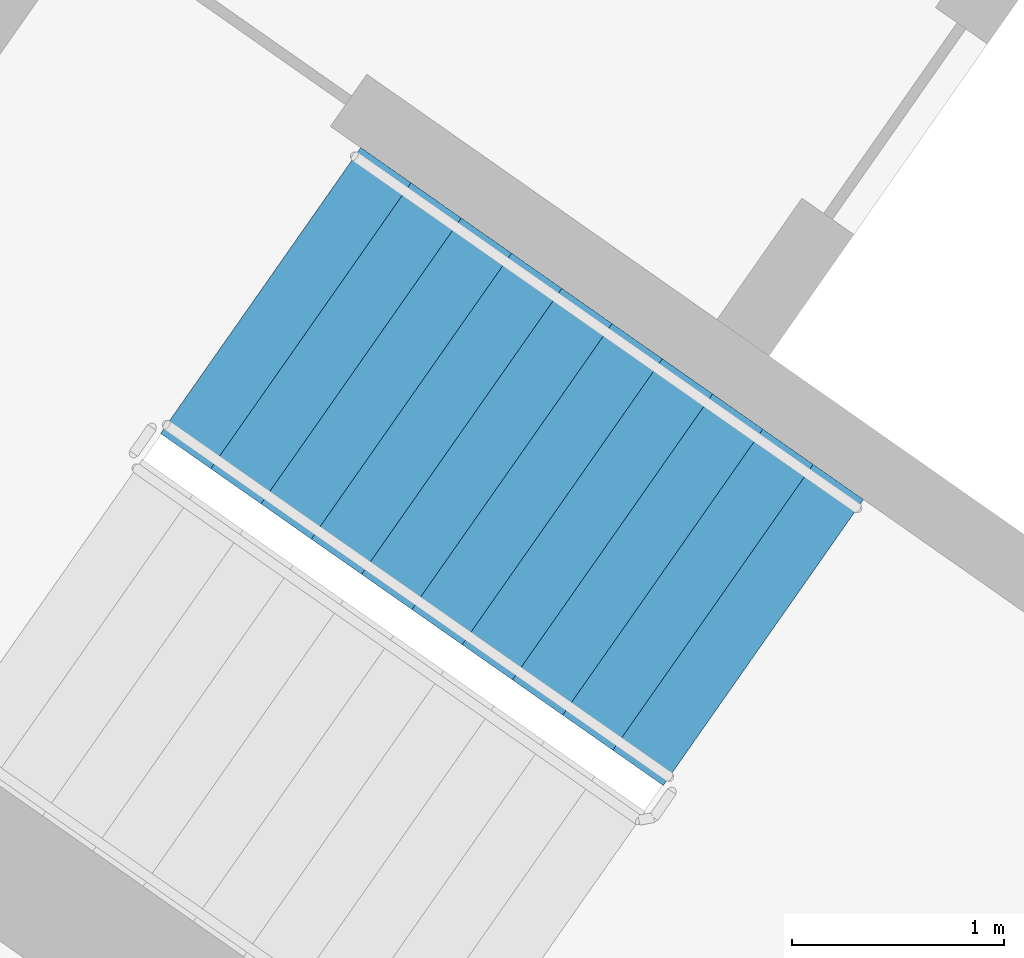
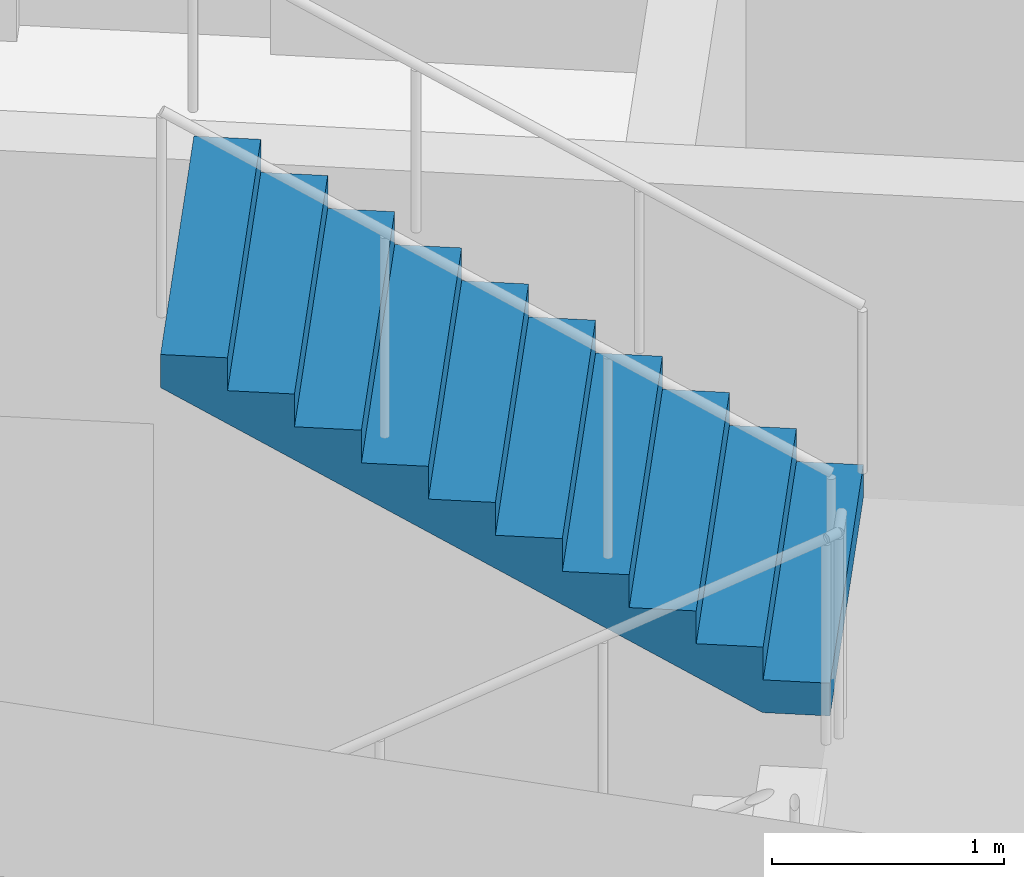
# One storey, part 10 of 26: 1 stair flight, 1 element without a shape of its own.
"""IFC4 building model written with IfcOpenShell, lengths in metres."""

from ifc_helpers import new_model, si_unit, direction, frame, origin, place, context, subcontext, project, spatial, faceted_brep, material, type_object, element, aggregate, save


model = new_model("IFC4")

# Units and contexts
model_context = context("Model", 3, precision=1e-05, world=origin(), true_north=direction((0.0, 1.0)))
body_context = subcontext(model_context, "Body", "Model", "MODEL_VIEW")
ifc_project = project(units=[si_unit("LENGTHUNIT", "METRE"), si_unit("AREAUNIT", "SQUARE_METRE"), si_unit("VOLUMEUNIT", "CUBIC_METRE"), si_unit("PLANEANGLEUNIT", "RADIAN"), si_unit("MASSUNIT", "GRAM", prefix="KILO")], contexts=[model_context])

# Site, building, storey
site_placement = place(None, origin())
site = spatial("IfcSite", under=ifc_project, at=site_placement, CompositionType="ELEMENT")
building_placement = place(site_placement, origin())
building = spatial("IfcBuilding", under=site, at=building_placement, Name="Qamariyya Broadcast Tower", CompositionType="ELEMENT")
storey_placement = place(building_placement, frame((0.0, 0.0, 168.300048828125)))
storey = spatial("IfcBuildingStorey", under=building, at=storey_placement, Name="L39", CompositionType="ELEMENT", Elevation=168.300048828125)

# Stair, stair flight
ifc_material = material(Name="Concrete C50/60", Category="concrete")
stair_type = type_object("IfcStairType", Name="Exit stair 22 risers of 173 mm", PredefinedType="HALF_TURN_STAIR", material=ifc_material)
stair_placement = place(storey_placement, origin())
stair = element("IfcStair", 1, at=stair_placement, inside=storey, type_object=stair_type, Name="L39 Stair W1", PredefinedType="HALF_TURN_STAIR")
stair_flight_type = type_object("IfcStairFlightType", Name="Exit stair flight 11 risers of 173 mm", PredefinedType="STRAIGHT", material=ifc_material)
stair_flight_placement = place(storey_placement, frame((-43.660888671875, -57.17138671875, 1.89990234375), z_axis=(0.0, 0.0, 1.0), x_axis=(-0.819152044289, 0.573576436351, 0.0)))
stair_flight = element("IfcStairFlight", 2, at=stair_flight_placement, type_object=stair_flight_type, Name="ST-W1 flight 2", NumberOfRisers=11, NumberOfTreads=10, PredefinedType="STRAIGHT", RiserHeight=0.172727273, TreadLength=0.29, context=body_context, shape_type="Brep", body=[
    faceted_brep([(0.0, 0.824951171875, 0.0), (0.0, 0.824951171875, 0.172607421875), (0.2900390625, 0.824951171875, 0.172607421875), (0.2900390625, 0.824951171875, 0.345458984375), (0.580078125, 0.824951171875, 0.345458984375), (0.580078125, 0.824951171875, 0.51806640625), (0.8701171875, 0.824951171875, 0.51806640625), (0.8701171875, 0.824951171875, 0.69091796875), (1.159912109375, 0.824951171875, 0.69091796875), (1.159912109375, 0.824951171875, 0.863525390625), (1.449951171875, 0.824951171875, 0.863525390625), (1.449951171875, 0.824951171875, 1.036376953125), (1.739990234375, 0.824951171875, 1.036376953125), (1.739990234375, 0.824951171875, 1.208984375), (2.030029296875, 0.824951171875, 1.208984375), (2.030029296875, 0.824951171875, 1.3818359375), (2.320068359375, 0.824951171875, 1.3818359375), (2.320068359375, 0.824951171875, 1.554443359375), (2.610107421875, 0.824951171875, 1.554443359375), (2.610107421875, 0.824951171875, 1.727294921875), (2.89990234375, 0.824951171875, 1.727294921875), (2.89990234375, 0.824951171875, 1.552734375), (0.29296875, 0.824951171875, 0.0), (0.29296875, -0.824951171875, 0.0), (2.89990234375, -0.824951171875, 1.552734375), (2.89990234375, -0.824951171875, 1.727294921875), (2.610107421875, -0.824951171875, 1.727294921875), (2.610107421875, -0.824951171875, 1.554443359375), (2.320068359375, -0.824951171875, 1.554443359375), (2.320068359375, -0.824951171875, 1.3818359375), (2.030029296875, -0.824951171875, 1.3818359375), (2.030029296875, -0.824951171875, 1.208984375), (1.739990234375, -0.824951171875, 1.208984375), (1.739990234375, -0.824951171875, 1.036376953125), (1.449951171875, -0.824951171875, 1.036376953125), (1.449951171875, -0.824951171875, 0.863525390625), (1.159912109375, -0.824951171875, 0.863525390625), (1.159912109375, -0.824951171875, 0.69091796875), (0.8701171875, -0.824951171875, 0.69091796875), (0.8701171875, -0.824951171875, 0.51806640625), (0.580078125, -0.824951171875, 0.51806640625), (0.580078125, -0.824951171875, 0.345458984375), (0.2900390625, -0.824951171875, 0.345458984375), (0.2900390625, -0.824951171875, 0.172607421875), (0.0, -0.824951171875, 0.172607421875), (0.0, -0.824951171875, 0.0), (0.0, 0.10009765625, 0.0), (0.0, 0.086669921875, 0.0), (0.0, 0.0732421875, 0.0), (0.0, 0.06005859375, 0.0), (0.0, 0.046630859375, 0.0), (0.0, 0.033447265625, 0.0), (0.0, 0.02001953125, 0.0), (0.0, 0.006591796875, 0.0), (0.0, -0.006591796875, 0.0), (0.0, -0.02001953125, 0.0), (0.0, -0.033447265625, 0.0), (0.0, -0.046630859375, 0.0), (0.0, -0.06005859375, 0.0), (0.0, -0.0732421875, 0.0), (0.0, -0.086669921875, 0.0), (0.0, -0.10009765625, 0.0), (0.0, -0.10009765625, 0.172607421875), (0.0, -0.086669921875, 0.172607421875), (0.0, -0.0732421875, 0.172607421875), (0.0, -0.06005859375, 0.172607421875), (0.0, -0.046630859375, 0.172607421875), (0.0, -0.033447265625, 0.172607421875), (0.0, -0.02001953125, 0.172607421875), (0.0, -0.006591796875, 0.172607421875), (0.0, 0.006591796875, 0.172607421875), (0.0, 0.02001953125, 0.172607421875), (0.0, 0.033447265625, 0.172607421875), (0.0, 0.046630859375, 0.172607421875), (0.0, 0.06005859375, 0.172607421875), (0.0, 0.0732421875, 0.172607421875), (0.0, 0.086669921875, 0.172607421875), (0.0, 0.10009765625, 0.172607421875), (0.2900390625, -0.10009765625, 0.172607421875), (0.2900390625, -0.086669921875, 0.172607421875), (0.2900390625, -0.0732421875, 0.172607421875), (0.2900390625, -0.06005859375, 0.172607421875), (0.2900390625, -0.046630859375, 0.172607421875), (0.2900390625, -0.033447265625, 0.172607421875), (0.2900390625, -0.02001953125, 0.172607421875), (0.2900390625, -0.006591796875, 0.172607421875), (0.2900390625, 0.006591796875, 0.172607421875), (0.2900390625, 0.02001953125, 0.172607421875), (0.2900390625, 0.033447265625, 0.172607421875), (0.2900390625, 0.046630859375, 0.172607421875), (0.2900390625, 0.06005859375, 0.172607421875), (0.2900390625, 0.0732421875, 0.172607421875), (0.2900390625, 0.086669921875, 0.172607421875), (0.2900390625, 0.10009765625, 0.172607421875), (0.2900390625, -0.10009765625, 0.345458984375), (0.2900390625, -0.086669921875, 0.345458984375), (0.2900390625, -0.0732421875, 0.345458984375), (0.2900390625, -0.06005859375, 0.345458984375), (0.2900390625, -0.046630859375, 0.345458984375), (0.2900390625, -0.033447265625, 0.345458984375), (0.2900390625, -0.02001953125, 0.345458984375), (0.2900390625, -0.006591796875, 0.345458984375), (0.2900390625, 0.006591796875, 0.345458984375), (0.2900390625, 0.02001953125, 0.345458984375), (0.2900390625, 0.033447265625, 0.345458984375), (0.2900390625, 0.046630859375, 0.345458984375), (0.2900390625, 0.06005859375, 0.345458984375), (0.2900390625, 0.0732421875, 0.345458984375), (0.2900390625, 0.086669921875, 0.345458984375), (0.2900390625, 0.10009765625, 0.345458984375), (0.580078125, -0.10009765625, 0.345458984375), (0.580078125, -0.086669921875, 0.345458984375), (0.580078125, -0.0732421875, 0.345458984375), (0.580078125, -0.06005859375, 0.345458984375), (0.580078125, -0.046630859375, 0.345458984375), (0.580078125, -0.033447265625, 0.345458984375), (0.580078125, -0.02001953125, 0.345458984375), (0.580078125, -0.006591796875, 0.345458984375), (0.580078125, 0.006591796875, 0.345458984375), (0.580078125, 0.02001953125, 0.345458984375), (0.580078125, 0.033447265625, 0.345458984375), (0.580078125, 0.046630859375, 0.345458984375), (0.580078125, 0.06005859375, 0.345458984375), (0.580078125, 0.0732421875, 0.345458984375), (0.580078125, 0.086669921875, 0.345458984375), (0.580078125, 0.10009765625, 0.345458984375), (0.580078125, -0.10009765625, 0.51806640625), (0.580078125, -0.086669921875, 0.51806640625), (0.580078125, -0.0732421875, 0.51806640625), (0.580078125, -0.06005859375, 0.51806640625), (0.580078125, -0.046630859375, 0.51806640625), (0.580078125, -0.033447265625, 0.51806640625), (0.580078125, -0.02001953125, 0.51806640625), (0.580078125, -0.006591796875, 0.51806640625), (0.580078125, 0.006591796875, 0.51806640625), (0.580078125, 0.02001953125, 0.51806640625), (0.580078125, 0.033447265625, 0.51806640625), (0.580078125, 0.046630859375, 0.51806640625), (0.580078125, 0.06005859375, 0.51806640625), (0.580078125, 0.0732421875, 0.51806640625), (0.580078125, 0.086669921875, 0.51806640625), (0.580078125, 0.10009765625, 0.51806640625), (0.8701171875, -0.10009765625, 0.51806640625), (0.8701171875, -0.086669921875, 0.51806640625), (0.8701171875, -0.0732421875, 0.51806640625), (0.8701171875, -0.06005859375, 0.51806640625), (0.8701171875, -0.046630859375, 0.51806640625), (0.8701171875, -0.033447265625, 0.51806640625), (0.8701171875, -0.02001953125, 0.51806640625), (0.8701171875, -0.006591796875, 0.51806640625), (0.8701171875, 0.006591796875, 0.51806640625), (0.8701171875, 0.02001953125, 0.51806640625), (0.8701171875, 0.033447265625, 0.51806640625), (0.8701171875, 0.046630859375, 0.51806640625), (0.8701171875, 0.06005859375, 0.51806640625), (0.8701171875, 0.0732421875, 0.51806640625), (0.8701171875, 0.086669921875, 0.51806640625), (0.8701171875, 0.10009765625, 0.51806640625), (0.8701171875, -0.10009765625, 0.69091796875), (0.8701171875, -0.086669921875, 0.69091796875), (0.8701171875, -0.0732421875, 0.69091796875), (0.8701171875, -0.06005859375, 0.69091796875), (0.8701171875, -0.046630859375, 0.69091796875), (0.8701171875, -0.033447265625, 0.69091796875), (0.8701171875, -0.02001953125, 0.69091796875), (0.8701171875, -0.006591796875, 0.69091796875), (0.8701171875, 0.006591796875, 0.69091796875), (0.8701171875, 0.02001953125, 0.69091796875), (0.8701171875, 0.033447265625, 0.69091796875), (0.8701171875, 0.046630859375, 0.69091796875), (0.8701171875, 0.06005859375, 0.69091796875), (0.8701171875, 0.0732421875, 0.69091796875), (0.8701171875, 0.086669921875, 0.69091796875), (0.8701171875, 0.10009765625, 0.69091796875), (1.159912109375, -0.10009765625, 0.69091796875), (1.159912109375, -0.086669921875, 0.69091796875), (1.159912109375, -0.0732421875, 0.69091796875), (1.159912109375, -0.06005859375, 0.69091796875), (1.159912109375, -0.046630859375, 0.69091796875), (1.159912109375, -0.033447265625, 0.69091796875), (1.159912109375, -0.02001953125, 0.69091796875), (1.159912109375, -0.006591796875, 0.69091796875), (1.159912109375, 0.006591796875, 0.69091796875), (1.159912109375, 0.02001953125, 0.69091796875), (1.159912109375, 0.033447265625, 0.69091796875), (1.159912109375, 0.046630859375, 0.69091796875), (1.159912109375, 0.06005859375, 0.69091796875), (1.159912109375, 0.0732421875, 0.69091796875), (1.159912109375, 0.086669921875, 0.69091796875), (1.159912109375, 0.10009765625, 0.69091796875), (1.159912109375, -0.10009765625, 0.863525390625), (1.159912109375, -0.086669921875, 0.863525390625), (1.159912109375, -0.0732421875, 0.863525390625), (1.159912109375, -0.06005859375, 0.863525390625), (1.159912109375, -0.046630859375, 0.863525390625), (1.159912109375, -0.033447265625, 0.863525390625), (1.159912109375, -0.02001953125, 0.863525390625), (1.159912109375, -0.006591796875, 0.863525390625), (1.159912109375, 0.006591796875, 0.863525390625), (1.159912109375, 0.02001953125, 0.863525390625), (1.159912109375, 0.033447265625, 0.863525390625), (1.159912109375, 0.046630859375, 0.863525390625), (1.159912109375, 0.06005859375, 0.863525390625), (1.159912109375, 0.0732421875, 0.863525390625), (1.159912109375, 0.086669921875, 0.863525390625), (1.159912109375, 0.10009765625, 0.863525390625), (1.449951171875, -0.10009765625, 0.863525390625), (1.449951171875, -0.086669921875, 0.863525390625), (1.449951171875, -0.0732421875, 0.863525390625), (1.449951171875, -0.06005859375, 0.863525390625), (1.449951171875, -0.046630859375, 0.863525390625), (1.449951171875, -0.033447265625, 0.863525390625), (1.449951171875, -0.02001953125, 0.863525390625), (1.449951171875, -0.006591796875, 0.863525390625), (1.449951171875, 0.006591796875, 0.863525390625), (1.449951171875, 0.02001953125, 0.863525390625), (1.449951171875, 0.033447265625, 0.863525390625), (1.449951171875, 0.046630859375, 0.863525390625), (1.449951171875, 0.06005859375, 0.863525390625), (1.449951171875, 0.0732421875, 0.863525390625), (1.449951171875, 0.086669921875, 0.863525390625), (1.449951171875, 0.10009765625, 0.863525390625), (1.449951171875, -0.10009765625, 1.036376953125), (1.449951171875, -0.086669921875, 1.036376953125), (1.449951171875, -0.0732421875, 1.036376953125), (1.449951171875, -0.06005859375, 1.036376953125), (1.449951171875, -0.046630859375, 1.036376953125), (1.449951171875, -0.033447265625, 1.036376953125), (1.449951171875, -0.02001953125, 1.036376953125), (1.449951171875, -0.006591796875, 1.036376953125), (1.449951171875, 0.006591796875, 1.036376953125), (1.449951171875, 0.02001953125, 1.036376953125), (1.449951171875, 0.033447265625, 1.036376953125), (1.449951171875, 0.046630859375, 1.036376953125), (1.449951171875, 0.06005859375, 1.036376953125), (1.449951171875, 0.0732421875, 1.036376953125), (1.449951171875, 0.086669921875, 1.036376953125), (1.449951171875, 0.10009765625, 1.036376953125), (1.739990234375, -0.10009765625, 1.036376953125), (1.739990234375, -0.086669921875, 1.036376953125), (1.739990234375, -0.0732421875, 1.036376953125), (1.739990234375, -0.06005859375, 1.036376953125), (1.739990234375, -0.046630859375, 1.036376953125), (1.739990234375, -0.033447265625, 1.036376953125), (1.739990234375, -0.02001953125, 1.036376953125), (1.739990234375, -0.006591796875, 1.036376953125), (1.739990234375, 0.006591796875, 1.036376953125), (1.739990234375, 0.02001953125, 1.036376953125), (1.739990234375, 0.033447265625, 1.036376953125), (1.739990234375, 0.046630859375, 1.036376953125), (1.739990234375, 0.06005859375, 1.036376953125), (1.739990234375, 0.0732421875, 1.036376953125), (1.739990234375, 0.086669921875, 1.036376953125), (1.739990234375, 0.10009765625, 1.036376953125), (1.739990234375, -0.10009765625, 1.208984375), (1.739990234375, -0.086669921875, 1.208984375), (1.739990234375, -0.0732421875, 1.208984375), (1.739990234375, -0.06005859375, 1.208984375), (1.739990234375, -0.046630859375, 1.208984375), (1.739990234375, -0.033447265625, 1.208984375), (1.739990234375, -0.02001953125, 1.208984375), (1.739990234375, -0.006591796875, 1.208984375), (1.739990234375, 0.006591796875, 1.208984375), (1.739990234375, 0.02001953125, 1.208984375), (1.739990234375, 0.033447265625, 1.208984375), (1.739990234375, 0.046630859375, 1.208984375), (1.739990234375, 0.06005859375, 1.208984375), (1.739990234375, 0.0732421875, 1.208984375), (1.739990234375, 0.086669921875, 1.208984375), (1.739990234375, 0.10009765625, 1.208984375), (2.030029296875, -0.10009765625, 1.208984375), (2.030029296875, -0.086669921875, 1.208984375), (2.030029296875, -0.0732421875, 1.208984375), (2.030029296875, -0.06005859375, 1.208984375), (2.030029296875, -0.046630859375, 1.208984375), (2.030029296875, -0.033447265625, 1.208984375), (2.030029296875, -0.02001953125, 1.208984375), (2.030029296875, -0.006591796875, 1.208984375), (2.030029296875, 0.006591796875, 1.208984375), (2.030029296875, 0.02001953125, 1.208984375), (2.030029296875, 0.033447265625, 1.208984375), (2.030029296875, 0.046630859375, 1.208984375), (2.030029296875, 0.06005859375, 1.208984375), (2.030029296875, 0.0732421875, 1.208984375), (2.030029296875, 0.086669921875, 1.208984375), (2.030029296875, 0.10009765625, 1.208984375), (2.030029296875, -0.10009765625, 1.3818359375), (2.030029296875, -0.086669921875, 1.3818359375), (2.030029296875, -0.0732421875, 1.3818359375), (2.030029296875, -0.06005859375, 1.3818359375), (2.030029296875, -0.046630859375, 1.3818359375), (2.030029296875, -0.033447265625, 1.3818359375), (2.030029296875, -0.02001953125, 1.3818359375), (2.030029296875, -0.006591796875, 1.3818359375), (2.030029296875, 0.006591796875, 1.3818359375), (2.030029296875, 0.02001953125, 1.3818359375), (2.030029296875, 0.033447265625, 1.3818359375), (2.030029296875, 0.046630859375, 1.3818359375), (2.030029296875, 0.06005859375, 1.3818359375), (2.030029296875, 0.0732421875, 1.3818359375), (2.030029296875, 0.086669921875, 1.3818359375), (2.030029296875, 0.10009765625, 1.3818359375), (2.320068359375, -0.10009765625, 1.3818359375), (2.320068359375, -0.086669921875, 1.3818359375), (2.320068359375, -0.0732421875, 1.3818359375), (2.320068359375, -0.06005859375, 1.3818359375), (2.320068359375, -0.046630859375, 1.3818359375), (2.320068359375, -0.033447265625, 1.3818359375), (2.320068359375, -0.02001953125, 1.3818359375), (2.320068359375, -0.006591796875, 1.3818359375), (2.320068359375, 0.006591796875, 1.3818359375), (2.320068359375, 0.02001953125, 1.3818359375), (2.320068359375, 0.033447265625, 1.3818359375), (2.320068359375, 0.046630859375, 1.3818359375), (2.320068359375, 0.06005859375, 1.3818359375), (2.320068359375, 0.0732421875, 1.3818359375), (2.320068359375, 0.086669921875, 1.3818359375), (2.320068359375, 0.10009765625, 1.3818359375), (2.320068359375, -0.10009765625, 1.554443359375), (2.320068359375, -0.086669921875, 1.554443359375), (2.320068359375, -0.0732421875, 1.554443359375), (2.320068359375, -0.06005859375, 1.554443359375), (2.320068359375, -0.046630859375, 1.554443359375), (2.320068359375, -0.033447265625, 1.554443359375), (2.320068359375, -0.02001953125, 1.554443359375), (2.320068359375, -0.006591796875, 1.554443359375), (2.320068359375, 0.006591796875, 1.554443359375), (2.320068359375, 0.02001953125, 1.554443359375), (2.320068359375, 0.033447265625, 1.554443359375), (2.320068359375, 0.046630859375, 1.554443359375), (2.320068359375, 0.06005859375, 1.554443359375), (2.320068359375, 0.0732421875, 1.554443359375), (2.320068359375, 0.086669921875, 1.554443359375), (2.320068359375, 0.10009765625, 1.554443359375), (2.610107421875, -0.10009765625, 1.554443359375), (2.610107421875, -0.086669921875, 1.554443359375), (2.610107421875, -0.0732421875, 1.554443359375), (2.610107421875, -0.06005859375, 1.554443359375), (2.610107421875, -0.046630859375, 1.554443359375), (2.610107421875, -0.033447265625, 1.554443359375), (2.610107421875, -0.02001953125, 1.554443359375), (2.610107421875, -0.006591796875, 1.554443359375), (2.610107421875, 0.006591796875, 1.554443359375), (2.610107421875, 0.02001953125, 1.554443359375), (2.610107421875, 0.033447265625, 1.554443359375), (2.610107421875, 0.046630859375, 1.554443359375), (2.610107421875, 0.06005859375, 1.554443359375), (2.610107421875, 0.0732421875, 1.554443359375), (2.610107421875, 0.086669921875, 1.554443359375), (2.610107421875, 0.10009765625, 1.554443359375), (2.610107421875, -0.10009765625, 1.727294921875), (2.610107421875, -0.086669921875, 1.727294921875), (2.610107421875, -0.0732421875, 1.727294921875), (2.610107421875, -0.06005859375, 1.727294921875), (2.610107421875, -0.046630859375, 1.727294921875), (2.610107421875, -0.033447265625, 1.727294921875), (2.610107421875, -0.02001953125, 1.727294921875), (2.610107421875, -0.006591796875, 1.727294921875), (2.610107421875, 0.006591796875, 1.727294921875), (2.610107421875, 0.02001953125, 1.727294921875), (2.610107421875, 0.033447265625, 1.727294921875), (2.610107421875, 0.046630859375, 1.727294921875), (2.610107421875, 0.06005859375, 1.727294921875), (2.610107421875, 0.0732421875, 1.727294921875), (2.610107421875, 0.086669921875, 1.727294921875), (2.610107421875, 0.10009765625, 1.727294921875), (2.89990234375, -0.10009765625, 1.727294921875), (2.89990234375, -0.086669921875, 1.727294921875), (2.89990234375, -0.0732421875, 1.727294921875), (2.89990234375, -0.06005859375, 1.727294921875), (2.89990234375, -0.046630859375, 1.727294921875), (2.89990234375, -0.033447265625, 1.727294921875), (2.89990234375, -0.02001953125, 1.727294921875), (2.89990234375, -0.006591796875, 1.727294921875), (2.89990234375, 0.006591796875, 1.727294921875), (2.89990234375, 0.02001953125, 1.727294921875), (2.89990234375, 0.033447265625, 1.727294921875), (2.89990234375, 0.046630859375, 1.727294921875), (2.89990234375, 0.06005859375, 1.727294921875), (2.89990234375, 0.0732421875, 1.727294921875), (2.89990234375, 0.086669921875, 1.727294921875), (2.89990234375, 0.10009765625, 1.727294921875), (2.89990234375, -0.10009765625, 1.552734375), (2.89990234375, -0.086669921875, 1.552734375), (2.89990234375, -0.0732421875, 1.552734375), (2.89990234375, -0.06005859375, 1.552734375), (2.89990234375, -0.046630859375, 1.552734375), (2.89990234375, -0.033447265625, 1.552734375), (2.89990234375, -0.02001953125, 1.552734375), (2.89990234375, -0.006591796875, 1.552734375), (2.89990234375, 0.006591796875, 1.552734375), (2.89990234375, 0.02001953125, 1.552734375), (2.89990234375, 0.033447265625, 1.552734375), (2.89990234375, 0.046630859375, 1.552734375), (2.89990234375, 0.06005859375, 1.552734375), (2.89990234375, 0.0732421875, 1.552734375), (2.89990234375, 0.086669921875, 1.552734375), (2.89990234375, 0.10009765625, 1.552734375), (0.29296875, -0.10009765625, 0.0), (0.29296875, -0.086669921875, 0.0), (0.29296875, -0.0732421875, 0.0), (0.29296875, -0.06005859375, 0.0), (0.29296875, -0.046630859375, 0.0), (0.29296875, -0.033447265625, 0.0), (0.29296875, -0.02001953125, 0.0), (0.29296875, -0.006591796875, 0.0), (0.29296875, 0.006591796875, 0.0), (0.29296875, 0.02001953125, 0.0), (0.29296875, 0.033447265625, 0.0), (0.29296875, 0.046630859375, 0.0), (0.29296875, 0.06005859375, 0.0), (0.29296875, 0.0732421875, 0.0), (0.29296875, 0.086669921875, 0.0), (0.29296875, 0.10009765625, 0.0)], [[[0, 1, 2, 3, 4, 5, 6, 7, 8, 9, 10, 11, 12, 13, 14, 15, 16, 17, 18, 19, 20, 21, 22]], [[23, 24, 25, 26, 27, 28, 29, 30, 31, 32, 33, 34, 35, 36, 37, 38, 39, 40, 41, 42, 43, 44, 45]], [[0, 46, 47, 48, 49, 50, 51, 52, 53, 54, 55, 56, 57, 58, 59, 60, 61, 45, 44, 62, 63, 64, 65, 66, 67, 68, 69, 70, 71, 72, 73, 74, 75, 76, 77, 1]], [[1, 77, 76, 75, 74, 73, 72, 71, 70, 69, 68, 67, 66, 65, 64, 63, 62, 44, 43, 78, 79, 80, 81, 82, 83, 84, 85, 86, 87, 88, 89, 90, 91, 92, 93, 2]], [[2, 93, 92, 91, 90, 89, 88, 87, 86, 85, 84, 83, 82, 81, 80, 79, 78, 43, 42, 94, 95, 96, 97, 98, 99, 100, 101, 102, 103, 104, 105, 106, 107, 108, 109, 3]], [[3, 109, 108, 107, 106, 105, 104, 103, 102, 101, 100, 99, 98, 97, 96, 95, 94, 42, 41, 110, 111, 112, 113, 114, 115, 116, 117, 118, 119, 120, 121, 122, 123, 124, 125, 4]], [[4, 125, 124, 123, 122, 121, 120, 119, 118, 117, 116, 115, 114, 113, 112, 111, 110, 41, 40, 126, 127, 128, 129, 130, 131, 132, 133, 134, 135, 136, 137, 138, 139, 140, 141, 5]], [[5, 141, 140, 139, 138, 137, 136, 135, 134, 133, 132, 131, 130, 129, 128, 127, 126, 40, 39, 142, 143, 144, 145, 146, 147, 148, 149, 150, 151, 152, 153, 154, 155, 156, 157, 6]], [[6, 157, 156, 155, 154, 153, 152, 151, 150, 149, 148, 147, 146, 145, 144, 143, 142, 39, 38, 158, 159, 160, 161, 162, 163, 164, 165, 166, 167, 168, 169, 170, 171, 172, 173, 7]], [[7, 173, 172, 171, 170, 169, 168, 167, 166, 165, 164, 163, 162, 161, 160, 159, 158, 38, 37, 174, 175, 176, 177, 178, 179, 180, 181, 182, 183, 184, 185, 186, 187, 188, 189, 8]], [[8, 189, 188, 187, 186, 185, 184, 183, 182, 181, 180, 179, 178, 177, 176, 175, 174, 37, 36, 190, 191, 192, 193, 194, 195, 196, 197, 198, 199, 200, 201, 202, 203, 204, 205, 9]], [[9, 205, 204, 203, 202, 201, 200, 199, 198, 197, 196, 195, 194, 193, 192, 191, 190, 36, 35, 206, 207, 208, 209, 210, 211, 212, 213, 214, 215, 216, 217, 218, 219, 220, 221, 10]], [[10, 221, 220, 219, 218, 217, 216, 215, 214, 213, 212, 211, 210, 209, 208, 207, 206, 35, 34, 222, 223, 224, 225, 226, 227, 228, 229, 230, 231, 232, 233, 234, 235, 236, 237, 11]], [[11, 237, 236, 235, 234, 233, 232, 231, 230, 229, 228, 227, 226, 225, 224, 223, 222, 34, 33, 238, 239, 240, 241, 242, 243, 244, 245, 246, 247, 248, 249, 250, 251, 252, 253, 12]], [[12, 253, 252, 251, 250, 249, 248, 247, 246, 245, 244, 243, 242, 241, 240, 239, 238, 33, 32, 254, 255, 256, 257, 258, 259, 260, 261, 262, 263, 264, 265, 266, 267, 268, 269, 13]], [[13, 269, 268, 267, 266, 265, 264, 263, 262, 261, 260, 259, 258, 257, 256, 255, 254, 32, 31, 270, 271, 272, 273, 274, 275, 276, 277, 278, 279, 280, 281, 282, 283, 284, 285, 14]], [[14, 285, 284, 283, 282, 281, 280, 279, 278, 277, 276, 275, 274, 273, 272, 271, 270, 31, 30, 286, 287, 288, 289, 290, 291, 292, 293, 294, 295, 296, 297, 298, 299, 300, 301, 15]], [[15, 301, 300, 299, 298, 297, 296, 295, 294, 293, 292, 291, 290, 289, 288, 287, 286, 30, 29, 302, 303, 304, 305, 306, 307, 308, 309, 310, 311, 312, 313, 314, 315, 316, 317, 16]], [[16, 317, 316, 315, 314, 313, 312, 311, 310, 309, 308, 307, 306, 305, 304, 303, 302, 29, 28, 318, 319, 320, 321, 322, 323, 324, 325, 326, 327, 328, 329, 330, 331, 332, 333, 17]], [[17, 333, 332, 331, 330, 329, 328, 327, 326, 325, 324, 323, 322, 321, 320, 319, 318, 28, 27, 334, 335, 336, 337, 338, 339, 340, 341, 342, 343, 344, 345, 346, 347, 348, 349, 18]], [[18, 349, 348, 347, 346, 345, 344, 343, 342, 341, 340, 339, 338, 337, 336, 335, 334, 27, 26, 350, 351, 352, 353, 354, 355, 356, 357, 358, 359, 360, 361, 362, 363, 364, 365, 19]], [[19, 365, 364, 363, 362, 361, 360, 359, 358, 357, 356, 355, 354, 353, 352, 351, 350, 26, 25, 366, 367, 368, 369, 370, 371, 372, 373, 374, 375, 376, 377, 378, 379, 380, 381, 20]], [[20, 381, 380, 379, 378, 377, 376, 375, 374, 373, 372, 371, 370, 369, 368, 367, 366, 25, 24, 382, 383, 384, 385, 386, 387, 388, 389, 390, 391, 392, 393, 394, 395, 396, 397, 21]], [[21, 397, 396, 395, 394, 393, 392, 391, 390, 389, 388, 387, 386, 385, 384, 383, 382, 24, 23, 398, 399, 400, 401, 402, 403, 404, 405, 406, 407, 408, 409, 410, 411, 412, 413, 22]], [[22, 413, 412, 411, 410, 409, 408, 407, 406, 405, 404, 403, 402, 401, 400, 399, 398, 23, 45, 61, 60, 59, 58, 57, 56, 55, 54, 53, 52, 51, 50, 49, 48, 47, 46, 0]]]),
])
aggregate(stair, [stair_flight])

save(model, "model.ifc")
